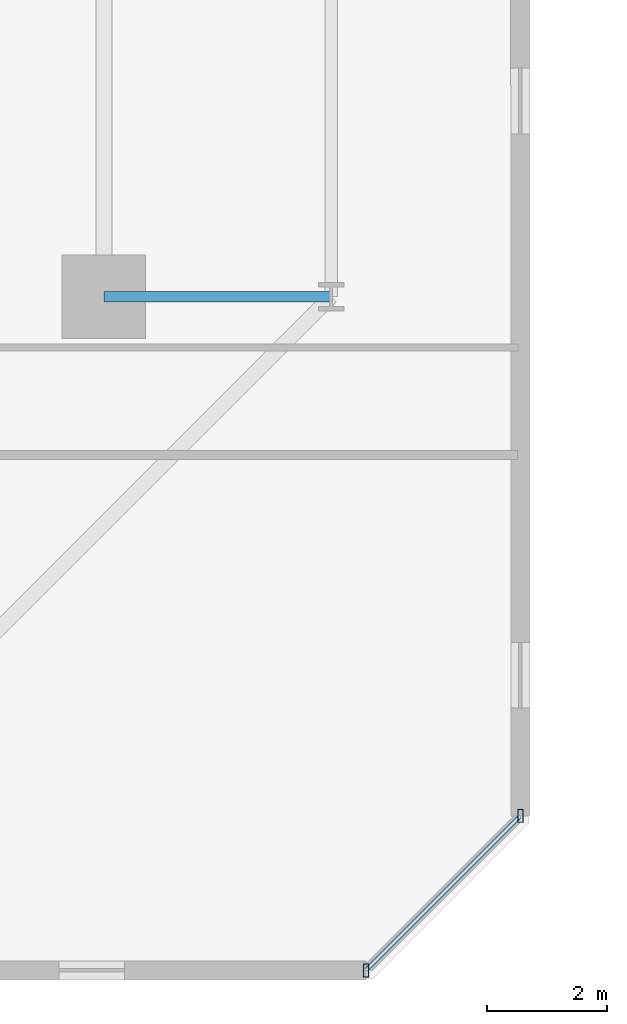
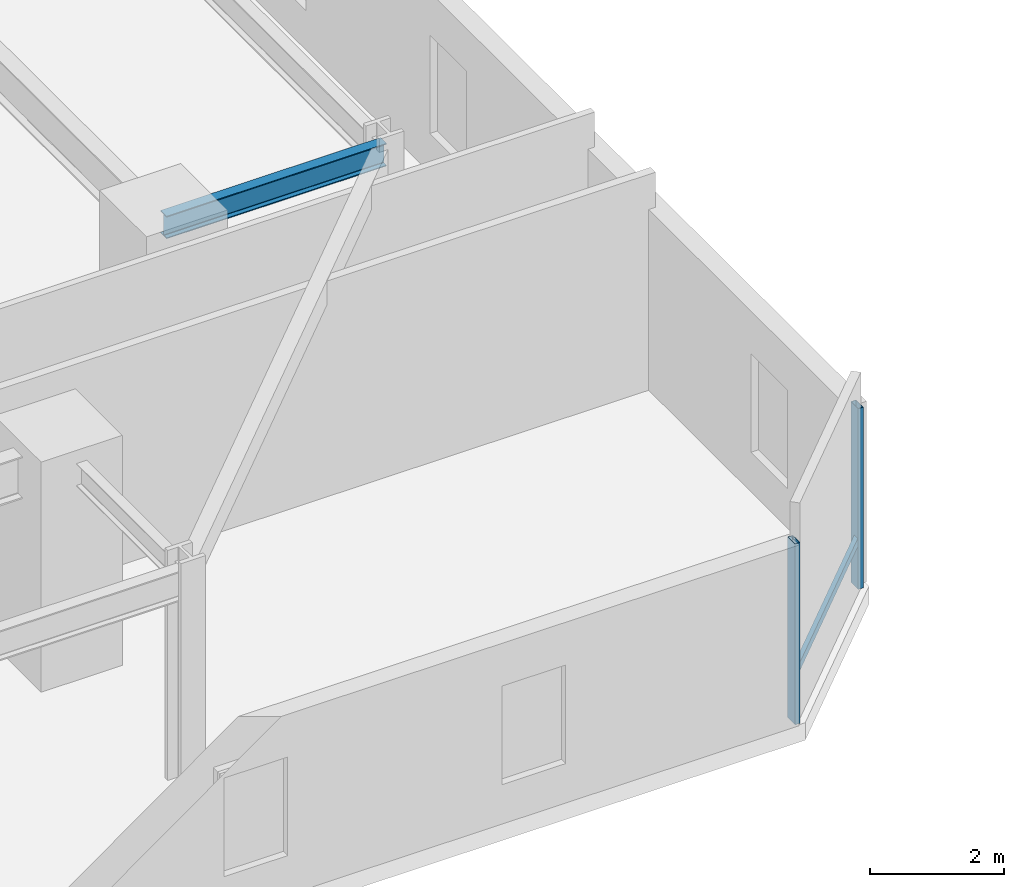
# One storey, part 5 of 33: 3 members, 1 beam, 1 element without a shape of its own.
"""IFC4 building model written with IfcOpenShell, lengths in metres."""

from ifc_helpers import new_model, si_unit, direction, frame, origin, origin_2d, place, context, subcontext, project, spatial, hollow_rectangle, i_section, extrude, material, material_profile, profile_set, type_object, element, aggregate, save


model = new_model("IFC4")

# Units and contexts
model_context = context("Model", 3, precision=1e-05, world=origin(), true_north=direction((0.0, 1.0)))
body_context = subcontext(model_context, "Body", "Model", "MODEL_VIEW")
ifc_project = project(units=[si_unit("LENGTHUNIT", "METRE"), si_unit("AREAUNIT", "SQUARE_METRE"), si_unit("VOLUMEUNIT", "CUBIC_METRE"), si_unit("PLANEANGLEUNIT", "RADIAN"), si_unit("MASSUNIT", "GRAM", prefix="KILO")], contexts=[model_context])

# Site, building, storey
site_placement = place(None, origin())
site = spatial("IfcSite", under=ifc_project, at=site_placement, CompositionType="ELEMENT")
building_placement = place(site_placement, origin())
building = spatial("IfcBuilding", under=site, at=building_placement, Name="Thornwick Lancets Civic Towers", CompositionType="ELEMENT")
storey_placement = place(building_placement, frame((0.0, 0.0, 49.5)))
storey = spatial("IfcBuildingStorey", under=building, at=storey_placement, Name="L12", CompositionType="ELEMENT", Elevation=49.5)

# Beam
ifc_material_1 = material(Name="Steel S355JR", Category="steel")
ifc_material_profile_1 = material_profile(ifc_material_1, i_section(OverallWidth=0.179443359375, OverallDepth=0.412841796875, WebThickness=0.009521484375, FlangeThickness=0.01611328125, FilletRadius=0.01025390625, at=origin_2d()), Name="UKB 406x178x74")
ifc_profile_set_1 = profile_set([ifc_material_profile_1], Name="Steel S355JR")
beam_type = type_object("IfcBeamType", Name="BM_JOIST_406_74", PredefinedType="JOIST", material=ifc_profile_set_1)
beam_placement = place(storey_placement, frame((42.800048828125, 14.0, 3.753662109375), z_axis=(1.0, 0.0, 0.0), x_axis=(0.0, 1.0, 0.0)))
element("IfcBeam", 1, at=beam_placement, inside=storey, type_object=beam_type, Name="BM-RAD-L12-A04", PredefinedType="JOIST", context=body_context, shape_type="SweptSolid", body=[
    extrude(i_section(OverallWidth=0.179443359375, OverallDepth=0.412841796875, WebThickness=0.009521484375, FlangeThickness=0.01611328125, FilletRadius=0.01025390625, at=origin_2d()), origin(), (0.0, 0.0, 1.0), 3.800048828125),
])

# Curtain wall, members
ifc_material_2 = material(Name="Low-zone chamfered-corner unitised glass curtain wall", Category="glass")
curtain_wall_type = type_object("IfcCurtainWallType", Name="CW_SYS_03", PredefinedType="NOTDEFINED", material=ifc_material_2)
curtain_wall_placement = place(storey_placement, origin())
curtain_wall = element("IfcCurtainWall", 2, at=curtain_wall_placement, inside=storey, type_object=curtain_wall_type, Name="L12 Curtain Wall CW-L12-A-E1", PredefinedType="NOTDEFINED")
ifc_material_3 = material(Name="Thermally broken bronze aluminium S355", Category="steel")
ifc_material_profile_2 = material_profile(ifc_material_3, hollow_rectangle(XDim=0.090087890625, YDim=0.219970703125, WallThickness=0.00634765625, at=origin_2d()), Name="RHS 220x90x6.3")
ifc_profile_set_2 = profile_set([ifc_material_profile_2], Name="Thermally broken bronze aluminium S355")
member_type_1 = type_object("IfcMemberType", Name="CW_MUL_220", PredefinedType="MULLION", material=ifc_profile_set_2)
member_1_placement = place(storey_placement, frame((47.18115234375, 2.735107421875, 0.0), z_axis=(0.0, 0.0, 1.0), x_axis=(1.0, 0.0, 0.0)))
member_1 = element("IfcMember", 3, at=member_1_placement, type_object=member_type_1, Name="CW-L12-A-E1 Mullion 0", PredefinedType="MULLION", context=body_context, shape_type="SweptSolid", body=[
    extrude(hollow_rectangle(XDim=0.090087890625, YDim=0.219970703125, WallThickness=0.00634765625, at=origin_2d()), origin(), (0.0, 0.0, 1.0), 3.300048828125),
])
member_2_placement = place(storey_placement, frame((49.764892578125, 5.31884765625, 0.0), z_axis=(0.0, 0.0, 1.0), x_axis=(1.0, 0.0, 0.0)))
member_2 = element("IfcMember", 4, at=member_2_placement, type_object=member_type_1, Name="CW-L12-A-E1 Mullion 1", PredefinedType="MULLION", context=body_context, shape_type="SweptSolid", body=[
    extrude(hollow_rectangle(XDim=0.090087890625, YDim=0.219970703125, WallThickness=0.00634765625, at=origin_2d()), origin(), (0.0, 0.0, 1.0), 3.300048828125),
])
ifc_material_profile_3 = material_profile(ifc_material_3, hollow_rectangle(XDim=0.074951171875, YDim=0.14990234375, WallThickness=0.0048828125, at=origin_2d()), Name="RHS 150x75x5")
ifc_profile_set_3 = profile_set([ifc_material_profile_3], Name="Thermally broken bronze aluminium S355")
member_type_2 = type_object("IfcMemberType", Name="CW_TRN_150", PredefinedType="USERDEFINED", material=ifc_profile_set_3)
member_3_placement = place(storey_placement, frame((47.1953125, 2.749267578125, 0.85009765625), z_axis=(0.707106781187, 0.707106781187, 0.0), x_axis=(-0.707106781187, 0.707106781187, 0.0)))
member_3 = element("IfcMember", 5, at=member_3_placement, type_object=member_type_2, Name="CW-L12-A-E1 Transom 0", ObjectType="TRANSOM", PredefinedType="USERDEFINED", context=body_context, shape_type="SweptSolid", body=[
    extrude(hollow_rectangle(XDim=0.074951171875, YDim=0.14990234375, WallThickness=0.0048828125, at=origin_2d()), origin(), (0.0, 0.0, 1.0), 3.614013671875),
])
aggregate(curtain_wall, [member_1, member_2, member_3])

save(model, "model.ifc")
